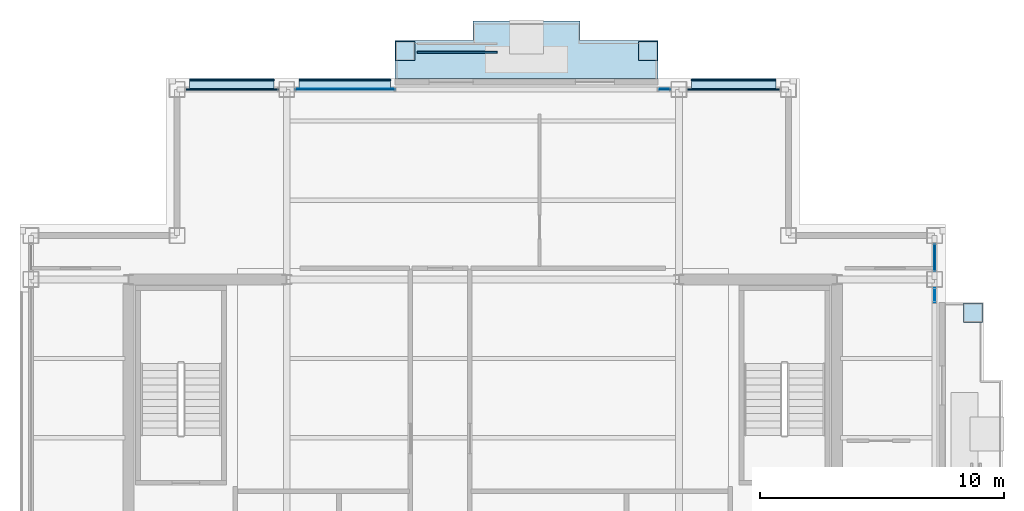
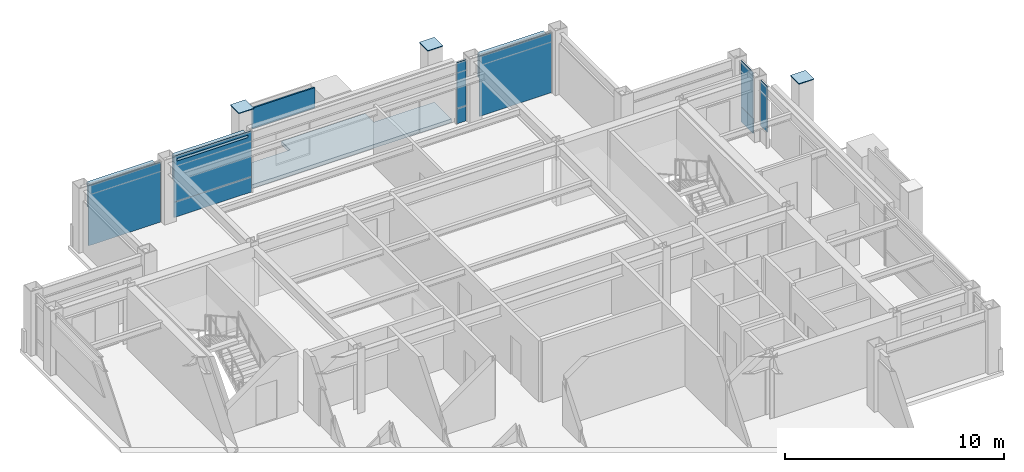
# One storey, part 18 of 24: 19 plates, 1 slab, 6 elements without a shape of their own.
"""IFC4 building model written with IfcOpenShell, lengths in metres."""

from ifc_helpers import new_model, si_unit, direction, frame, origin, origin_2d, place, context, subcontext, project, spatial, polyline, rectangle, outline, extrude, material, layer, layer_set, type_object, element, aggregate, save


model = new_model("IFC4")

# Units and contexts
model_context = context("Model", 3, precision=1e-05, world=origin(), true_north=direction((0.0, 1.0)))
body_context = subcontext(model_context, "Body", "Model", "MODEL_VIEW")
ifc_project = project(units=[si_unit("LENGTHUNIT", "METRE"), si_unit("AREAUNIT", "SQUARE_METRE"), si_unit("VOLUMEUNIT", "CUBIC_METRE"), si_unit("PLANEANGLEUNIT", "RADIAN"), si_unit("MASSUNIT", "GRAM", prefix="KILO")], contexts=[model_context])

# Site, building, storey
site_placement = place(None, origin())
site = spatial("IfcSite", under=ifc_project, at=site_placement, CompositionType="ELEMENT")
building_placement = place(site_placement, origin())
building = spatial("IfcBuilding", under=site, at=building_placement, Name="Brelmoor Portico Tower", CompositionType="ELEMENT")
storey_placement = place(building_placement, frame((0.0, 0.0, 229.199951171875)))
storey = spatial("IfcBuildingStorey", under=building, at=storey_placement, Name="L60", CompositionType="ELEMENT", Elevation=229.199951171875)

# Plates
ifc_material_1 = material(Name="Steel Q355B", Category="steel")
ifc_layer_1 = layer(ifc_material_1, 0.044921875)
ifc_layer_set_1 = layer_set([ifc_layer_1], Name="Steel Q355B")
plate_type_1 = type_object("IfcPlateType", Name="PT-CAP-650", PredefinedType="SHEET", material=ifc_layer_set_1)
for number, where, z_axis, x_axis, name in (
    (1, (-3.179931640625, 19.1298828125, 3.60009765625), (0.0, 0.0, 1.0), (1.0, 0.0, 0.0), "L60 Proud Picture-Frame Pier PFJ-N1 Welded Head Cap Plate"),
    (2, (6.780029296875, 19.1298828125, 3.60009765625), (0.0, 0.0, 1.0), (1.0, 0.0, 0.0), "L60 Proud Picture-Frame Pier PFJ-N2 Welded Head Cap Plate"),
    (3, (20.1298828125, 8.3798828125, 3.60009765625), (0.0, 0.0, 1.0), (0.0, 1.0, 0.0), "L60 Proud Picture-Frame Pier PFJ-E2 Welded Head Cap Plate"),
):
    element("IfcPlate", number, at=place(storey_placement, frame(where, z_axis=z_axis, x_axis=x_axis)), inside=storey, type_object=plate_type_1, Name=name, PredefinedType="SHEET", context=body_context, shape_type="SweptSolid", body=[
        extrude(rectangle(XDim=0.7900390625, YDim=0.7900390625, at=origin_2d()), origin(), (0.0, 0.0, 1.0), 0.0400390625),
    ])

# Curtain wall, plate
ifc_material_2 = material(Name="Anodised Aluminium Alloy 6063-T6", Category="aluminium")
ifc_layer_2 = layer(ifc_material_2, 0.179931640625)
ifc_layer_set_2 = layer_set([ifc_layer_2], Name="Anodised Aluminium Alloy 6063-T6")
curtain_wall_type_1 = type_object("IfcCurtainWallType", Name="CW-TOWER-Z4", PredefinedType="NOTDEFINED", material=ifc_layer_set_2)
curtain_wall_1_placement = place(storey_placement, origin())
curtain_wall_1 = element("IfcCurtainWall", 4, at=curtain_wall_1_placement, inside=storey, type_object=curtain_wall_type_1, Name="L60 Curtain Wall CW-L60-2L-2", PredefinedType="NOTDEFINED")
ifc_material_3 = material(Name="Double-Silver Low-E Insulated Glazing", Category="glass")
ifc_layer_3 = layer(ifc_material_3, 0.035888671875)
ifc_layer_set_3 = layer_set([ifc_layer_3], Name="Double-Silver Low-E Insulated Glazing")
plate_type_2 = type_object("IfcPlateType", Name="PT-CW-GLASS", PredefinedType="CURTAIN_PANEL", material=ifc_layer_set_3)
plate_1_placement = place(storey_placement, frame((-5.657470703125, 17.550048828125, 0.85009765625), z_axis=(0.0, 0.0, 1.0), x_axis=(1.0, 0.0, 0.0)))
plate_1 = element("IfcPlate", 5, at=plate_1_placement, type_object=plate_type_2, Name="CW-L60-2L-2 Vision Glass Panel 00", PredefinedType="CURTAIN_PANEL", context=body_context, shape_type="SweptSolid", body=[
    extrude(rectangle(XDim=4.0849609375, YDim=0.035888671875, at=origin_2d()), origin(), (0.0, 0.0, 1.0), 2.550048828125),
])

curtain_wall_2_placement = place(storey_placement, origin())
curtain_wall_2 = element("IfcCurtainWall", 6, at=curtain_wall_2_placement, inside=storey, type_object=curtain_wall_type_1, Name="L60 Curtain Wall CW-L60-2R-1", PredefinedType="NOTDEFINED")
plate_2_placement = place(storey_placement, frame((7.45751953125, 17.550048828125, 0.85009765625), z_axis=(0.0, 0.0, 1.0), x_axis=(1.0, 0.0, 0.0)))
plate_2 = element("IfcPlate", 7, at=plate_2_placement, type_object=plate_type_2, Name="CW-L60-2R-1 Vision Glass Panel 00", PredefinedType="CURTAIN_PANEL", context=body_context, shape_type="SweptSolid", body=[
    extrude(rectangle(XDim=0.485107421875, YDim=0.035888671875, at=origin_2d()), origin(), (0.0, 0.0, 1.0), 2.550048828125),
])

curtain_wall_3_placement = place(storey_placement, origin())
curtain_wall_3 = element("IfcCurtainWall", 8, at=curtain_wall_3_placement, inside=storey, type_object=curtain_wall_type_1, Name="L60 Curtain Wall CW-L60-4R-1", PredefinedType="NOTDEFINED")
plate_3_placement = place(storey_placement, frame((18.550048828125, 9.107421875, 0.85009765625), z_axis=(0.0, 0.0, 1.0), x_axis=(0.0, 1.0, 0.0)))
plate_3 = element("IfcPlate", 9, at=plate_3_placement, type_object=plate_type_2, Name="CW-L60-4R-1 Vision Glass Panel 00", PredefinedType="CURTAIN_PANEL", context=body_context, shape_type="SweptSolid", body=[
    extrude(rectangle(XDim=0.5849609375, YDim=0.035888671875, at=origin_2d()), origin(), (0.0, 0.0, 1.0), 2.550048828125),
])
aggregate(curtain_wall_3, [plate_3])

curtain_wall_4_placement = place(storey_placement, origin())
curtain_wall_4 = element("IfcCurtainWall", 10, at=curtain_wall_4_placement, inside=storey, type_object=curtain_wall_type_1, Name="L60 Curtain Wall CW-L60-4R-2", PredefinedType="NOTDEFINED")
plate_4_placement = place(storey_placement, frame((18.550048828125, 10.64990234375, 0.85009765625), z_axis=(0.0, 0.0, 1.0), x_axis=(0.0, 1.0, 0.0)))
plate_4 = element("IfcPlate", 11, at=plate_4_placement, type_object=plate_type_2, Name="CW-L60-4R-2 Vision Glass Panel 00", PredefinedType="CURTAIN_PANEL", context=body_context, shape_type="SweptSolid", body=[
    extrude(rectangle(XDim=1.10009765625, YDim=0.035888671875, at=origin_2d()), origin(), (0.0, 0.0, 1.0), 2.550048828125),
])

ifc_layer_4 = layer(ifc_material_2, 0.179931640625)
ifc_layer_set_4 = layer_set([ifc_layer_4], Name="Anodised Aluminium Alloy 6063-T6")
curtain_wall_type_2 = type_object("IfcCurtainWallType", Name="CW-TOWER-Z4-XB", PredefinedType="NOTDEFINED", material=ifc_layer_set_4)
curtain_wall_5_placement = place(storey_placement, origin())
curtain_wall_5 = element("IfcCurtainWall", 12, at=curtain_wall_5_placement, inside=storey, type_object=curtain_wall_type_2, Name="L60 Curtain Wall CW-L60-2L-1", PredefinedType="NOTDEFINED")
ifc_material_4 = material(Name="Pale Champagne Anodised Aluminium Panel", Category="aluminium")
ifc_layer_5 = layer(ifc_material_4, 0.050048828125)
ifc_layer_set_5 = layer_set([ifc_layer_5], Name="Pale Champagne Anodised Aluminium Panel")
plate_type_3 = type_object("IfcPlateType", Name="PT-CW-SPANDREL", PredefinedType="SHEET", material=ifc_layer_set_5)
plate_5_placement = place(storey_placement, frame((-10.300048828125, 17.550048828125, 0.0), z_axis=(0.0, 0.0, 1.0), x_axis=(1.0, 0.0, 0.0)))
plate_5 = element("IfcPlate", 13, at=plate_5_placement, type_object=plate_type_3, Name="CW-L60-2L-1 Spandrel Panel 00", PredefinedType="SHEET", context=body_context, shape_type="SweptSolid", body=[
    extrude(rectangle(XDim=3.800048828125, YDim=0.050048828125, at=origin_2d()), origin(), (0.0, 0.0, 1.0), 3.33740234375),
])
aggregate(curtain_wall_5, [plate_5])

# Plate
plate_6_placement = place(storey_placement, frame((-5.657470703125, 17.550048828125, 0.0), z_axis=(0.0, 0.0, 1.0), x_axis=(1.0, 0.0, 0.0)))
plate_6 = element("IfcPlate", 14, at=plate_6_placement, type_object=plate_type_3, Name="CW-L60-2L-2 Spandrel Panel 00", PredefinedType="SHEET", context=body_context, shape_type="SweptSolid", body=[
    extrude(rectangle(XDim=4.0849609375, YDim=0.050048828125, at=origin_2d()), origin(), (0.0, 0.0, 1.0), 0.85009765625),
])

aggregate(curtain_wall_1, [plate_6, plate_1])

plate_7_placement = place(storey_placement, frame((7.45751953125, 17.550048828125, 0.0), z_axis=(0.0, 0.0, 1.0), x_axis=(1.0, 0.0, 0.0)))
plate_7 = element("IfcPlate", 15, at=plate_7_placement, type_object=plate_type_3, Name="CW-L60-2R-1 Spandrel Panel 00", PredefinedType="SHEET", context=body_context, shape_type="SweptSolid", body=[
    extrude(rectangle(XDim=0.485107421875, YDim=0.050048828125, at=origin_2d()), origin(), (0.0, 0.0, 1.0), 0.85009765625),
])

aggregate(curtain_wall_2, [plate_7, plate_2])

# Curtain wall, plate
curtain_wall_6_placement = place(storey_placement, origin())
curtain_wall_6 = element("IfcCurtainWall", 16, at=curtain_wall_6_placement, inside=storey, type_object=curtain_wall_type_2, Name="L60 Curtain Wall CW-L60-2R-2", PredefinedType="NOTDEFINED")
plate_8_placement = place(storey_placement, frame((10.300048828125, 17.550048828125, 0.0), z_axis=(0.0, 0.0, 1.0), x_axis=(1.0, 0.0, 0.0)))
plate_8 = element("IfcPlate", 17, at=plate_8_placement, type_object=plate_type_3, Name="CW-L60-2R-2 Spandrel Panel 00", PredefinedType="SHEET", context=body_context, shape_type="SweptSolid", body=[
    extrude(rectangle(XDim=3.800048828125, YDim=0.050048828125, at=origin_2d()), origin(), (0.0, 0.0, 1.0), 3.33740234375),
])
aggregate(curtain_wall_6, [plate_8])

# Plate
plate_9_placement = place(storey_placement, frame((18.550048828125, 10.64990234375, 0.0), z_axis=(0.0, 0.0, 1.0), x_axis=(0.0, 1.0, 0.0)))
plate_9 = element("IfcPlate", 18, at=plate_9_placement, type_object=plate_type_3, Name="CW-L60-4R-2 Spandrel Panel 00", PredefinedType="SHEET", context=body_context, shape_type="SweptSolid", body=[
    extrude(rectangle(XDim=1.10009765625, YDim=0.050048828125, at=origin_2d()), origin(), (0.0, 0.0, 1.0), 0.85009765625),
])

aggregate(curtain_wall_4, [plate_9, plate_4])

# Plates
ifc_material_5 = material(Name="Powder-Coated Aluminium Shuttered Jalousie Louvre", Category="aluminium")
ifc_layer_6 = layer(ifc_material_5, 0.06005859375)
ifc_layer_set_6 = layer_set([ifc_layer_6], Name="Powder-Coated Aluminium Shuttered Jalousie Louvre")
plate_type_4 = type_object("IfcPlateType", Name="PT-JALOUSIE-SHUTTER", PredefinedType="SHEET", material=ifc_layer_set_6)
plate_10_placement = place(storey_placement, frame((-10.300048828125, 17.929931640625, 1.8740234375), z_axis=(0.0, 0.0, 1.0), x_axis=(1.0, 0.0, 0.0)))
element("IfcPlate", 19, at=plate_10_placement, inside=storey, type_object=plate_type_4, Name="CW-L60-2L-1 Perforated Jalousie Solar Screen", PredefinedType="SHEET", context=body_context, shape_type="SweptSolid", body=[
    extrude(rectangle(XDim=3.469970703125, YDim=0.06494140625, at=origin_2d()), origin(), (0.0, 0.0, 1.0), 1.325927734375),
])
plate_11_placement = place(storey_placement, frame((-5.657470703125, 17.929931640625, 1.8740234375), z_axis=(0.0, 0.0, 1.0), x_axis=(1.0, 0.0, 0.0)))
element("IfcPlate", 20, at=plate_11_placement, inside=storey, type_object=plate_type_4, Name="CW-L60-2L-2 Perforated Jalousie Solar Screen", PredefinedType="SHEET", context=body_context, shape_type="SweptSolid", body=[
    extrude(rectangle(XDim=3.7548828125, YDim=0.06494140625, at=origin_2d()), origin(), (0.0, 0.0, 1.0), 1.325927734375),
])
plate_12_placement = place(storey_placement, frame((10.300048828125, 17.929931640625, 1.8740234375), z_axis=(0.0, 0.0, 1.0), x_axis=(1.0, 0.0, 0.0)))
element("IfcPlate", 21, at=plate_12_placement, inside=storey, type_object=plate_type_4, Name="CW-L60-2R-2 Perforated Jalousie Solar Screen", PredefinedType="SHEET", context=body_context, shape_type="SweptSolid", body=[
    extrude(rectangle(XDim=3.469970703125, YDim=0.06494140625, at=origin_2d()), origin(), (0.0, 0.0, 1.0), 1.325927734375),
])
plate_13_placement = place(storey_placement, frame((-1.050048828125, 19.080078125, 2.275146484375), z_axis=(0.0, 0.0, 1.0), x_axis=(1.0, 0.0, 0.0)))
element("IfcPlate", 22, at=plate_13_placement, inside=storey, type_object=plate_type_4, Name="L60 Shuttered Veranda Screen N", PredefinedType="SHEET", context=body_context, shape_type="SweptSolid", body=[
    extrude(rectangle(XDim=3.300048828125, YDim=0.080078125, at=origin_2d()), origin(), (0.0, 0.0, 1.0), 1.14990234375),
])
ifc_material_6 = material(Name="Pale Champagne Perforated Aluminium Solar Screen", Category="aluminium")
ifc_layer_7 = layer(ifc_material_6, 0.054931640625)
ifc_layer_set_7 = layer_set([ifc_layer_7], Name="Pale Champagne Perforated Aluminium Solar Screen")
plate_type_5 = type_object("IfcPlateType", Name="PT-SOLAR-LOUVRE", PredefinedType="SHEET", material=ifc_layer_set_7)
plate_14_placement = place(storey_placement, frame((-10.300048828125, 17.760009765625, 3.09033203125), z_axis=(0.0, 0.0, 1.0), x_axis=(1.0, 0.0, 0.0)))
element("IfcPlate", 23, at=plate_14_placement, inside=storey, type_object=plate_type_5, Name="CW-L60-2L-1 Caribbean Brise-Soleil Solar Screen", PredefinedType="SHEET", context=body_context, shape_type="SweptSolid", body=[
    extrude(rectangle(XDim=3.469970703125, YDim=0.4599609375, at=origin_2d()), origin(), (0.0, 0.0, 1.0), 0.139892578125),
])
plate_15_placement = place(storey_placement, frame((-5.657470703125, 17.760009765625, 3.09033203125), z_axis=(0.0, 0.0, 1.0), x_axis=(1.0, 0.0, 0.0)))
element("IfcPlate", 24, at=plate_15_placement, inside=storey, type_object=plate_type_5, Name="CW-L60-2L-2 Caribbean Brise-Soleil Solar Screen", PredefinedType="SHEET", context=body_context, shape_type="SweptSolid", body=[
    extrude(rectangle(XDim=3.7548828125, YDim=0.4599609375, at=origin_2d()), origin(), (0.0, 0.0, 1.0), 0.139892578125),
])
plate_16_placement = place(storey_placement, frame((10.300048828125, 17.760009765625, 3.09033203125), z_axis=(0.0, 0.0, 1.0), x_axis=(1.0, 0.0, 0.0)))
element("IfcPlate", 25, at=plate_16_placement, inside=storey, type_object=plate_type_5, Name="CW-L60-2R-2 Caribbean Brise-Soleil Solar Screen", PredefinedType="SHEET", context=body_context, shape_type="SweptSolid", body=[
    extrude(rectangle(XDim=3.469970703125, YDim=0.4599609375, at=origin_2d()), origin(), (0.0, 0.0, 1.0), 0.139892578125),
])

# Slab
ifc_material_7 = material(Name="Concrete C40", Category="concrete")
ifc_layer_8 = layer(ifc_material_7, 0.199951171875)
ifc_layer_set_8 = layer_set([ifc_layer_8], Name="Concrete C40")
slab_type = type_object("IfcSlabType", Name="SL-BALCONY-200", PredefinedType="FLOOR", material=ifc_layer_set_8)
slab_placement = place(storey_placement, frame((0.0, 0.0, -0.199951171875)))
element("IfcSlab", 26, at=slab_placement, inside=storey, type_object=slab_type, Name="L60 Loggia Tree Balcony Slab N", PredefinedType="FLOOR", context=body_context, shape_type="SweptSolid", body=[
    extrude(outline(polyline([(-3.60009765625, 18.0), (7.199951171875, 18.0), (7.199951171875, 19.550048828125), (4.0, 19.550048828125), (4.0, 20.35009765625), (-0.39990234375, 20.35009765625), (-0.39990234375, 19.550048828125), (-3.60009765625, 19.550048828125), (-3.60009765625, 18.0)])), origin(), (0.0, 0.0, 1.0), 0.199951171875),
])

save(model, "model.ifc")
